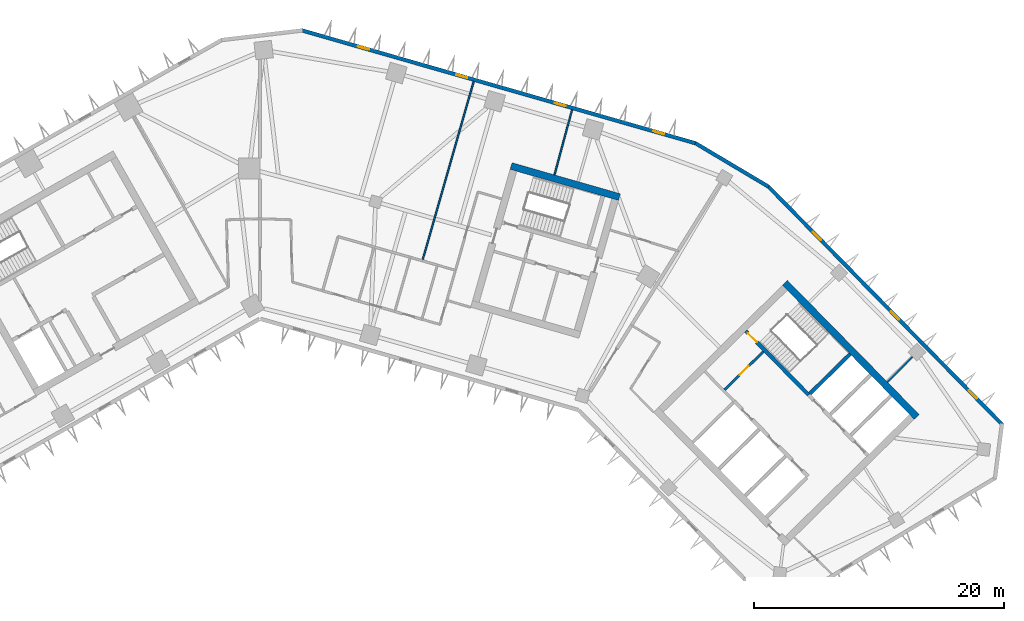
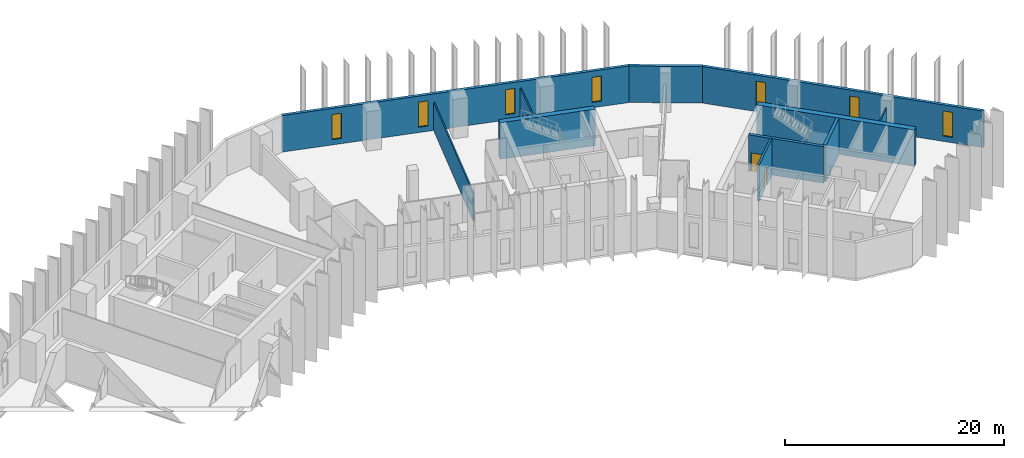
# One storey, part 7 of 11: 11 walls, 7 windows, 2 doors, 9 openings.
"""IFC4 building model written with IfcOpenShell, lengths in metres."""

from ifc_helpers import new_model, si_unit, direction, frame, frame_2d, origin, place, context, subcontext, project, spatial, rectangle, extrude, material, layer, layer_set, type_object, element, fill, save


model = new_model("IFC4")

# Units and contexts
model_context = context("Model", 3, precision=1e-05, world=origin(), true_north=direction((0.0, 1.0)))
body_context = subcontext(model_context, "Body", "Model", "MODEL_VIEW")
ifc_project = project(units=[si_unit("LENGTHUNIT", "METRE"), si_unit("AREAUNIT", "SQUARE_METRE"), si_unit("VOLUMEUNIT", "CUBIC_METRE"), si_unit("PLANEANGLEUNIT", "RADIAN"), si_unit("MASSUNIT", "GRAM", prefix="KILO")], contexts=[model_context])

# Site, building, storey
site_placement = place(None, origin())
site = spatial("IfcSite", under=ifc_project, at=site_placement, CompositionType="ELEMENT")
building_placement = place(site_placement, origin())
building = spatial("IfcBuilding", under=site, at=building_placement, Name="Binnacle Exchange Tower", CompositionType="ELEMENT")
storey_placement = place(building_placement, frame((0.0, 0.0, 105.89990234375)))
storey = spatial("IfcBuildingStorey", under=building, at=storey_placement, Name="L21", CompositionType="ELEMENT", Elevation=105.89990234375)

# Walls
ifc_material_1 = material(Name="Concrete C70/85", Category="concrete")
ifc_layer_1 = layer(ifc_material_1, 0.550048828125)
ifc_layer_set_1 = layer_set([ifc_layer_1], Name="Core wall - outer 550")
wall_type_1 = type_object("IfcWallType", Name="Core wall - outer 550", PredefinedType="SOLIDWALL", material=ifc_layer_set_1)
wall_1_placement = place(storey_placement, frame((41.934326171875, 50.873291015625, 0.0), z_axis=(0.0, 0.0, 1.0), x_axis=(0.700911255944, -0.713248491965, 0.0)))
element("IfcWall", 1, at=wall_1_placement, inside=storey, type_object=wall_type_1, Name="Core wall CRWB6", PredefinedType="SOLIDWALL", context=body_context, shape_type="SweptSolid", body=[
    extrude(rectangle(XDim=15.0, YDim=0.550048828125, at=frame_2d((7.5, 0.0))), origin(), (0.0, 0.0, 1.0), 4.080078125),
])
wall_2_placement = place(storey_placement, frame((20.059814453125, 60.20361328125, 0.0), z_axis=(0.0, 0.0, 1.0), x_axis=(0.96126248289, -0.275634611374, 0.0)))
element("IfcWall", 2, at=wall_2_placement, inside=storey, type_object=wall_type_1, Name="Core wall CRWD6", PredefinedType="SOLIDWALL", context=body_context, shape_type="SweptSolid", body=[
    extrude(rectangle(XDim=9.0, YDim=0.550048828125, at=frame_2d((4.5, 0.0))), origin(), (0.0, 0.0, 1.0), 4.080078125),
])

# Wall, opening, door
ifc_layer_2 = layer(ifc_material_1, 0.300048828125)
ifc_layer_set_2 = layer_set([ifc_layer_2], Name="Core wall - stair 300")
wall_type_2 = type_object("IfcWallType", Name="Core wall - stair 300", PredefinedType="SOLIDWALL", material=ifc_layer_set_2)
wall_3_placement = place(storey_placement, frame((38.806884765625, 47.029052734375, 0.0), z_axis=(0.0, 0.0, 1.0), x_axis=(0.700916852778, -0.713242991898, 0.0)))
wall_3 = element("IfcWall", 3, at=wall_3_placement, inside=storey, type_object=wall_type_2, Name="Core wall CRWB4", PredefinedType="SOLIDWALL", context=body_context, shape_type="SweptSolid", body=[
    extrude(rectangle(XDim=7.150146484375, YDim=0.300048828125, at=frame_2d((3.5751953125, 0.0))), origin(), (0.0, 0.0, 1.0), 4.080078125),
])
opening_1_placement = place(wall_3_placement, frame((0.25, 0.0, 0.0)))
opening_1 = element("IfcOpeningElement", 4, at=opening_1_placement, cuts=wall_3, Name="Opening DB1", PredefinedType="OPENING", context=body_context, shape_type="SweptSolid", body=[
    extrude(rectangle(XDim=1.0, YDim=2.10009765625, at=frame_2d((0.5, 1.050048828125))), frame((0.0, 0.159912109375, 0.0), z_axis=(0.0, -1.0, 0.0), x_axis=(1.0, 0.0, 0.0)), (0.0, 0.0, 1.0), 0.320068359375),
])
ifc_material_2 = material(Name="Steel door leaf", Category="steel")
door_type = type_object("IfcDoorType", Name="Fire door 1000", OperationType="NOTDEFINED", PredefinedType="DOOR", material=ifc_material_2)
door_1_placement = place(opening_1_placement, origin())
door_1 = element("IfcDoor", 5, at=door_1_placement, inside=storey, type_object=door_type, Name="Stair door ST-B1", OperationType="SINGLE_SWING_LEFT", OverallHeight=2.10009765625, OverallWidth=1.0, PredefinedType="DOOR", context=body_context, shape_type="SweptSolid", body=[
    extrude(rectangle(XDim=1.0, YDim=2.10009765625, at=frame_2d((0.5, 1.050048828125))), frame((0.0, 0.02490234375, 0.0), z_axis=(0.0, -1.0, 0.0), x_axis=(1.0, 0.0, 0.0)), (0.0, 0.0, 1.0), 0.050048828125),
])
fill(opening_1, door_1)

# Walls
wall_4_placement = place(storey_placement, frame((43.925537109375, 42.034423828125, 0.0), z_axis=(0.0, 0.0, 1.0), x_axis=(0.713210801054, 0.700949608217, 0.0)))
element("IfcWall", 6, at=wall_4_placement, inside=storey, type_object=wall_type_2, Name="Core wall CRWB11", PredefinedType="SOLIDWALL", context=body_context, shape_type="SweptSolid", body=[
    extrude(rectangle(XDim=4.5, YDim=0.300048828125, at=frame_2d((2.25, 0.0))), origin(), (0.0, 0.0, 1.0), 4.080078125),
])
ifc_material_3 = material(Name="Bronze aluminium cladding", Category="aluminium")
ifc_layer_3 = layer(ifc_material_3, 0.300048828125)
ifc_layer_set_3 = layer_set([ifc_layer_3], Name="External wall - spandrel 300")
wall_type_3 = type_object("IfcWallType", Name="External wall - spandrel 300", PredefinedType="STANDARD", material=ifc_layer_set_3)
wall_5_placement = place(storey_placement, frame((34.773193359375, 62.0341796875, 0.0), z_axis=(0.0, 0.0, 1.0), x_axis=(0.859401317772, -0.511301647769, 0.0)))
element("IfcWall", 7, at=wall_5_placement, inside=storey, type_object=wall_type_3, Name="External wall EW-F00 L21", PredefinedType="STANDARD", context=body_context, shape_type="SweptSolid", body=[
    extrude(rectangle(XDim=6.80810546875, YDim=0.300048828125, at=frame_2d((3.404052734375, 0.0))), origin(), (0.0, 0.0, 1.0), 4.080078125),
])

# Wall, openings, windows
wall_6_placement = place(storey_placement, frame((3.33544921875, 71.043701171875, 0.0), z_axis=(0.0, 0.0, 1.0), x_axis=(0.961260130989, -0.275642813387, 0.0)))
wall_6 = element("IfcWall", 8, at=wall_6_placement, inside=storey, type_object=wall_type_3, Name="External wall EW-F01 L21", PredefinedType="STANDARD", context=body_context, shape_type="SweptSolid", body=[
    extrude(rectangle(XDim=32.7412109375, YDim=0.300048828125, at=frame_2d((16.37060546875, 0.0))), origin(), (0.0, 0.0, 1.0), 4.080078125),
])
opening_2_placement = place(wall_6_placement, frame((29.20703125, 0.0, 0.60009765625)))
opening_2 = element("IfcOpeningElement", 9, at=opening_2_placement, cuts=wall_6, Name="Opening WS2", PredefinedType="OPENING", context=body_context, shape_type="SweptSolid", body=[
    extrude(rectangle(XDim=0.89990234375, YDim=2.800048828125, at=frame_2d((0.449951171875, 1.39990234375))), frame((0.0, 0.159912109375, 0.0), z_axis=(0.0, -1.0, 0.0), x_axis=(1.0, 0.0, 0.0)), (0.0, 0.0, 1.0), 0.320068359375),
])
opening_3_placement = place(wall_6_placement, frame((21.0341796875, 0.0, 0.60009765625)))
opening_3 = element("IfcOpeningElement", 10, at=opening_3_placement, cuts=wall_6, Name="Opening WS2", PredefinedType="OPENING", context=body_context, shape_type="SweptSolid", body=[
    extrude(rectangle(XDim=0.89990234375, YDim=2.800048828125, at=frame_2d((0.449951171875, 1.39990234375))), frame((0.0, 0.159912109375, 0.0), z_axis=(0.0, -1.0, 0.0), x_axis=(1.0, 0.0, 0.0)), (0.0, 0.0, 1.0), 0.320068359375),
])
opening_4_placement = place(wall_6_placement, frame((12.861083984375, 0.0, 0.60009765625)))
opening_4 = element("IfcOpeningElement", 11, at=opening_4_placement, cuts=wall_6, Name="Opening WS2", PredefinedType="OPENING", context=body_context, shape_type="SweptSolid", body=[
    extrude(rectangle(XDim=0.89990234375, YDim=2.800048828125, at=frame_2d((0.449951171875, 1.39990234375))), frame((0.0, 0.159912109375, 0.0), z_axis=(0.0, -1.0, 0.0), x_axis=(1.0, 0.0, 0.0)), (0.0, 0.0, 1.0), 0.320068359375),
])
opening_5_placement = place(wall_6_placement, frame((4.688232421875, 0.0, 0.60009765625)))
opening_5 = element("IfcOpeningElement", 12, at=opening_5_placement, cuts=wall_6, Name="Opening WS2", PredefinedType="OPENING", context=body_context, shape_type="SweptSolid", body=[
    extrude(rectangle(XDim=0.89990234375, YDim=2.800048828125, at=frame_2d((0.449951171875, 1.39990234375))), frame((0.0, 0.159912109375, 0.0), z_axis=(0.0, -1.0, 0.0), x_axis=(1.0, 0.0, 0.0)), (0.0, 0.0, 1.0), 0.320068359375),
])
ifc_material_4 = material(Name="Bronze anodised aluminium frame", Category="aluminium")
window_type = type_object("IfcWindowType", Name="WS2 WINDOW 900x2800", PartitioningType="SINGLE_PANEL", PredefinedType="WINDOW", material=ifc_material_4)
window_1_placement = place(opening_2_placement, origin())
window_1 = element("IfcWindow", 13, at=window_1_placement, inside=storey, type_object=window_type, Name="Window WS2 L21", OverallHeight=2.800048828125, OverallWidth=0.89990234375, PartitioningType="SINGLE_PANEL", PredefinedType="WINDOW", context=body_context, shape_type="SweptSolid", body=[
    extrude(rectangle(XDim=0.89990234375, YDim=2.800048828125, at=frame_2d((0.449951171875, 1.39990234375))), frame((0.0, 0.030029296875, 0.0), z_axis=(0.0, -1.0, 0.0), x_axis=(1.0, 0.0, 0.0)), (0.0, 0.0, 1.0), 0.06005859375),
])
fill(opening_2, window_1)
window_2_placement = place(opening_3_placement, origin())
window_2 = element("IfcWindow", 14, at=window_2_placement, inside=storey, type_object=window_type, Name="Window WS2 L21", OverallHeight=2.800048828125, OverallWidth=0.89990234375, PartitioningType="SINGLE_PANEL", PredefinedType="WINDOW", context=body_context, shape_type="SweptSolid", body=[
    extrude(rectangle(XDim=0.89990234375, YDim=2.800048828125, at=frame_2d((0.449951171875, 1.39990234375))), frame((0.0, 0.030029296875, 0.0), z_axis=(0.0, -1.0, 0.0), x_axis=(1.0, 0.0, 0.0)), (0.0, 0.0, 1.0), 0.06005859375),
])
fill(opening_3, window_2)
window_3_placement = place(opening_4_placement, origin())
window_3 = element("IfcWindow", 15, at=window_3_placement, inside=storey, type_object=window_type, Name="Window WS2 L21", OverallHeight=2.800048828125, OverallWidth=0.89990234375, PartitioningType="SINGLE_PANEL", PredefinedType="WINDOW", context=body_context, shape_type="SweptSolid", body=[
    extrude(rectangle(XDim=0.89990234375, YDim=2.800048828125, at=frame_2d((0.449951171875, 1.39990234375))), frame((0.0, 0.030029296875, 0.0), z_axis=(0.0, -1.0, 0.0), x_axis=(1.0, 0.0, 0.0)), (0.0, 0.0, 1.0), 0.06005859375),
])
fill(opening_4, window_3)
window_4_placement = place(opening_5_placement, origin())
window_4 = element("IfcWindow", 16, at=window_4_placement, inside=storey, type_object=window_type, Name="Window WS2 L21", OverallHeight=2.800048828125, OverallWidth=0.89990234375, PartitioningType="SINGLE_PANEL", PredefinedType="WINDOW", context=body_context, shape_type="SweptSolid", body=[
    extrude(rectangle(XDim=0.89990234375, YDim=2.800048828125, at=frame_2d((0.449951171875, 1.39990234375))), frame((0.0, 0.030029296875, 0.0), z_axis=(0.0, -1.0, 0.0), x_axis=(1.0, 0.0, 0.0)), (0.0, 0.0, 1.0), 0.06005859375),
])
fill(opening_5, window_4)

wall_7_placement = place(storey_placement, frame((40.59375, 58.576904296875, 0.0), z_axis=(0.0, 0.0, 1.0), x_axis=(0.700909719808, -0.713250001528, 0.0)))
wall_7 = element("IfcWall", 17, at=wall_7_placement, inside=storey, type_object=wall_type_3, Name="External wall EW-F13 L21", PredefinedType="STANDARD", context=body_context, shape_type="SweptSolid", body=[
    extrude(rectangle(XDim=26.70849609375, YDim=0.300048828125, at=frame_2d((13.354248046875, 0.0))), origin(), (0.0, 0.0, 1.0), 4.080078125),
])
opening_6_placement = place(wall_7_placement, frame((22.8583984375, 0.0, 0.60009765625)))
opening_6 = element("IfcOpeningElement", 18, at=opening_6_placement, cuts=wall_7, Name="Opening WS2", PredefinedType="OPENING", context=body_context, shape_type="SweptSolid", body=[
    extrude(rectangle(XDim=0.89990234375, YDim=2.800048828125, at=frame_2d((0.449951171875, 1.39990234375))), frame((0.0, 0.159912109375, 0.0), z_axis=(0.0, -1.0, 0.0), x_axis=(1.0, 0.0, 0.0)), (0.0, 0.0, 1.0), 0.320068359375),
])
opening_7_placement = place(wall_7_placement, frame((13.986572265625, 0.0, 0.60009765625)))
opening_7 = element("IfcOpeningElement", 19, at=opening_7_placement, cuts=wall_7, Name="Opening WS2", PredefinedType="OPENING", context=body_context, shape_type="SweptSolid", body=[
    extrude(rectangle(XDim=0.89990234375, YDim=2.800048828125, at=frame_2d((0.449951171875, 1.39990234375))), frame((0.0, 0.159912109375, 0.0), z_axis=(0.0, -1.0, 0.0), x_axis=(1.0, 0.0, 0.0)), (0.0, 0.0, 1.0), 0.320068359375),
])
opening_8_placement = place(wall_7_placement, frame((5.114501953125, 0.0, 0.60009765625)))
opening_8 = element("IfcOpeningElement", 20, at=opening_8_placement, cuts=wall_7, Name="Opening WS2", PredefinedType="OPENING", context=body_context, shape_type="SweptSolid", body=[
    extrude(rectangle(XDim=0.89990234375, YDim=2.800048828125, at=frame_2d((0.449951171875, 1.39990234375))), frame((0.0, 0.159912109375, 0.0), z_axis=(0.0, -1.0, 0.0), x_axis=(1.0, 0.0, 0.0)), (0.0, 0.0, 1.0), 0.320068359375),
])
window_5_placement = place(opening_6_placement, origin())
window_5 = element("IfcWindow", 21, at=window_5_placement, inside=storey, type_object=window_type, Name="Window WS2 L21", OverallHeight=2.800048828125, OverallWidth=0.89990234375, PartitioningType="SINGLE_PANEL", PredefinedType="WINDOW", context=body_context, shape_type="SweptSolid", body=[
    extrude(rectangle(XDim=0.89990234375, YDim=2.800048828125, at=frame_2d((0.449951171875, 1.39990234375))), frame((0.0, 0.030029296875, 0.0), z_axis=(0.0, -1.0, 0.0), x_axis=(1.0, 0.0, 0.0)), (0.0, 0.0, 1.0), 0.06005859375),
])
fill(opening_6, window_5)
window_6_placement = place(opening_7_placement, origin())
window_6 = element("IfcWindow", 22, at=window_6_placement, inside=storey, type_object=window_type, Name="Window WS2 L21", OverallHeight=2.800048828125, OverallWidth=0.89990234375, PartitioningType="SINGLE_PANEL", PredefinedType="WINDOW", context=body_context, shape_type="SweptSolid", body=[
    extrude(rectangle(XDim=0.89990234375, YDim=2.800048828125, at=frame_2d((0.449951171875, 1.39990234375))), frame((0.0, 0.030029296875, 0.0), z_axis=(0.0, -1.0, 0.0), x_axis=(1.0, 0.0, 0.0)), (0.0, 0.0, 1.0), 0.06005859375),
])
fill(opening_7, window_6)
window_7_placement = place(opening_8_placement, origin())
window_7 = element("IfcWindow", 23, at=window_7_placement, inside=storey, type_object=window_type, Name="Window WS2 L21", OverallHeight=2.800048828125, OverallWidth=0.89990234375, PartitioningType="SINGLE_PANEL", PredefinedType="WINDOW", context=body_context, shape_type="SweptSolid", body=[
    extrude(rectangle(XDim=0.89990234375, YDim=2.800048828125, at=frame_2d((0.449951171875, 1.39990234375))), frame((0.0, 0.030029296875, 0.0), z_axis=(0.0, -1.0, 0.0), x_axis=(1.0, 0.0, 0.0)), (0.0, 0.0, 1.0), 0.06005859375),
])
fill(opening_8, window_7)

# Wall, opening, door
ifc_material_5 = material(Name="Masonry block wall", Category="masonry")
ifc_layer_4 = layer(ifc_material_5, 0.199951171875)
ifc_layer_set_4 = layer_set([ifc_layer_4], Name="Fire wall - vestibule 200")
wall_type_4 = type_object("IfcWallType", Name="Fire wall - vestibule 200", PredefinedType="PARTITIONING", material=ifc_layer_set_4)
wall_8_placement = place(storey_placement, frame((37.104248046875, 42.341552734375, 0.0), z_axis=(0.0, 0.0, 1.0), x_axis=(0.713281298468, 0.700877870428, 0.0)))
wall_8 = element("IfcWall", 24, at=wall_8_placement, inside=storey, type_object=wall_type_4, Name="Core wall CRWB8", PredefinedType="PARTITIONING", context=body_context, shape_type="SweptSolid", body=[
    extrude(rectangle(XDim=4.35009765625, YDim=0.199951171875, at=frame_2d((2.175048828125, 0.0))), origin(), (0.0, 0.0, 1.0), 4.080078125),
])
opening_9_placement = place(wall_8_placement, frame((1.699951171875, 0.0, 0.0)))
opening_9 = element("IfcOpeningElement", 25, at=opening_9_placement, cuts=wall_8, Name="Opening DB3", PredefinedType="OPENING", context=body_context, shape_type="SweptSolid", body=[
    extrude(rectangle(XDim=1.0, YDim=2.10009765625, at=frame_2d((0.5, 1.050048828125))), frame((0.0, 0.10986328125, 0.0), z_axis=(0.0, -1.0, 0.0), x_axis=(1.0, 0.0, 0.0)), (0.0, 0.0, 1.0), 0.219970703125),
])
door_2_placement = place(opening_9_placement, origin())
door_2 = element("IfcDoor", 26, at=door_2_placement, inside=storey, type_object=door_type, Name="Vestibule door VEST-W", OperationType="SINGLE_SWING_RIGHT", OverallHeight=2.10009765625, OverallWidth=1.0, PredefinedType="DOOR", context=body_context, shape_type="SweptSolid", body=[
    extrude(rectangle(XDim=1.0, YDim=2.10009765625, at=frame_2d((0.5, 1.050048828125))), frame((0.0, 0.02490234375, 0.0), z_axis=(0.0, -1.0, 0.0), x_axis=(1.0, 0.0, 0.0)), (0.0, 0.0, 1.0), 0.050048828125),
])
fill(opening_9, door_2)

# Walls
ifc_material_6 = material(Name="Gypsum partition")
ifc_layer_5 = layer(ifc_material_6, 0.125)
ifc_layer_set_5 = layer_set([ifc_layer_5], Name="Partition 125")
wall_type_5 = type_object("IfcWallType", Name="Partition 125", PredefinedType="PARTITIONING", material=ifc_layer_set_5)
wall_9_placement = place(storey_placement, frame((12.97412109375, 52.638916015625, 0.0), z_axis=(0.0, 0.0, 1.0), x_axis=(0.275299463768, 0.961358520662, 0.0)))
element("IfcWall", 27, at=wall_9_placement, inside=storey, type_object=wall_type_5, Name="Partition W28", PredefinedType="PARTITIONING", context=body_context, shape_type="SweptSolid", body=[
    extrude(rectangle(XDim=14.88525390625, YDim=0.125, at=frame_2d((7.442626953125, 0.0))), origin(), (0.0, 0.0, 1.0), 3.14208984375),
])
wall_10_placement = place(storey_placement, frame((23.52294921875, 59.4970703125, 0.0), z_axis=(0.0, 0.0, 1.0), x_axis=(0.261275557939, 0.965264255437, 0.0)))
element("IfcWall", 28, at=wall_10_placement, inside=storey, type_object=wall_type_5, Name="Partition W35", PredefinedType="PARTITIONING", context=body_context, shape_type="SweptSolid", body=[
    extrude(rectangle(XDim=5.385009765625, YDim=0.125, at=frame_2d((2.6923828125, 0.0))), origin(), (0.0, 0.0, 1.0), 3.360107421875),
])
wall_11_placement = place(storey_placement, frame((50.111083984375, 42.945068359375, 0.0), z_axis=(0.0, 0.0, 1.0), x_axis=(0.703595931147, 0.710600285445, 0.0)))
element("IfcWall", 29, at=wall_11_placement, inside=storey, type_object=wall_type_5, Name="Partition W44", PredefinedType="PARTITIONING", context=body_context, shape_type="SweptSolid", body=[
    extrude(rectangle(XDim=2.858154296875, YDim=0.125, at=frame_2d((1.42919921875, 0.0))), origin(), (0.0, 0.0, 1.0), 3.610107421875),
])

save(model, "model.ifc")
